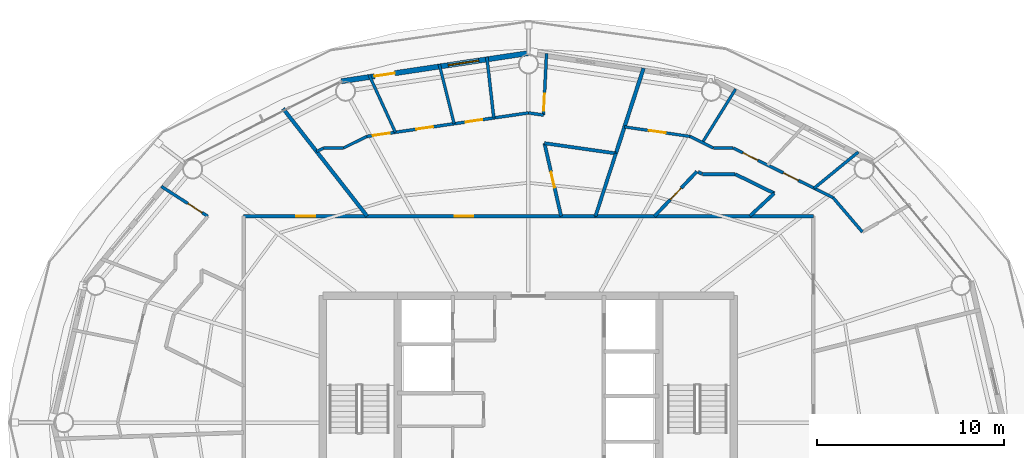
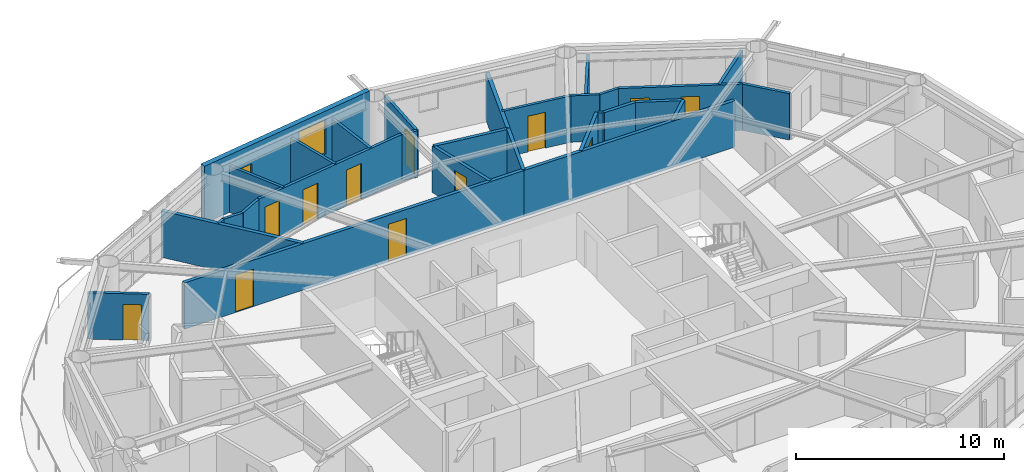
# One storey, part 19 of 23: 30 walls, 13 doors, 1 window, 14 openings.
"""IFC4 building model written with IfcOpenShell, lengths in metres."""

from ifc_helpers import new_model, si_unit, direction, frame, frame_2d, origin, place, context, subcontext, project, spatial, rectangle, extrude, material, layer, layer_set, type_object, element, fill, save


model = new_model("IFC4")

# Units and contexts
model_context = context("Model", 3, precision=1e-05, world=origin(), true_north=direction((0.0, 1.0)))
body_context = subcontext(model_context, "Body", "Model", "MODEL_VIEW")
ifc_project = project(units=[si_unit("LENGTHUNIT", "METRE"), si_unit("AREAUNIT", "SQUARE_METRE"), si_unit("VOLUMEUNIT", "CUBIC_METRE"), si_unit("PLANEANGLEUNIT", "RADIAN"), si_unit("MASSUNIT", "GRAM", prefix="KILO")], contexts=[model_context])

# Site, building, storey
site_placement = place(None, origin())
site = spatial("IfcSite", under=ifc_project, at=site_placement, CompositionType="ELEMENT")
building_placement = place(site_placement, origin())
building = spatial("IfcBuilding", under=site, at=building_placement, Name="Sarneth Arch Tower", CompositionType="ELEMENT")
storey_placement = place(building_placement, frame((0.0, 0.0, 238.800048828125)))
storey = spatial("IfcBuildingStorey", under=building, at=storey_placement, Name="L61", CompositionType="ELEMENT", Elevation=238.800048828125)

# Wall, openings, doors
ifc_material_1 = material(Name="Double steel-stud corridor fire wall", Category="steel")
ifc_layer_1 = layer(ifc_material_1, 0.18994140625)
ifc_layer_set_1 = layer_set([ifc_layer_1], Name="Double steel-stud corridor fire wall")
wall_type_1 = type_object("IfcWallType", Name="WALL-CORR-190", PredefinedType="PARTITIONING", material=ifc_layer_set_1)
wall_1_placement = place(storey_placement, frame((32.75, 53.050048828125, 0.0), z_axis=(0.0, 0.0, 1.0), x_axis=(1.0, 0.0, 0.0)))
wall_1 = element("IfcWall", 1, at=wall_1_placement, inside=storey, type_object=wall_type_1, Name="L61 Interior partition W-L61-TP-005", PredefinedType="PARTITIONING", context=body_context, shape_type="SweptSolid", body=[
    extrude(rectangle(XDim=18.84033203125, YDim=0.18994140625, at=frame_2d((9.420166015625, 0.0))), origin(), (0.0, 0.0, 1.0), 2.719970703125),
])
opening_1_placement = place(wall_1_placement, frame((11.3046875, 0.0, 0.0)))
opening_1 = element("IfcOpeningElement", 2, at=opening_1_placement, cuts=wall_1, Name="Opening FD-08", PredefinedType="OPENING", context=body_context, shape_type="SweptSolid", body=[
    extrude(rectangle(XDim=1.0, YDim=2.199951171875, at=frame_2d((0.5, 1.10009765625))), frame((0.0, 0.10498046875, 0.0), z_axis=(0.0, -1.0, 0.0), x_axis=(1.0, 0.0, 0.0)), (0.0, 0.0, 1.0), 0.2099609375),
])
opening_2_placement = place(wall_1_placement, frame((2.82861328125, 0.0, 0.0)))
opening_2 = element("IfcOpeningElement", 3, at=opening_2_placement, cuts=wall_1, Name="Opening FD-08", PredefinedType="OPENING", context=body_context, shape_type="SweptSolid", body=[
    extrude(rectangle(XDim=1.0, YDim=2.199951171875, at=frame_2d((0.5, 1.10009765625))), frame((0.0, 0.10498046875, 0.0), z_axis=(0.0, -1.0, 0.0), x_axis=(1.0, 0.0, 0.0)), (0.0, 0.0, 1.0), 0.2099609375),
])
ifc_material_2 = material(Name="Hardwood timber acoustic fire door", Category="wood")
door_type_1 = type_object("IfcDoorType", Name="DR-FD60-1000", OperationType="SINGLE_SWING_LEFT", PredefinedType="DOOR", material=ifc_material_2)
door_1_placement = place(opening_1_placement, origin())
door_1 = element("IfcDoor", 4, at=door_1_placement, inside=storey, type_object=door_type_1, Name="L61 Interior door DR-L61-U2-ENT", OperationType="SINGLE_SWING_LEFT", OverallHeight=2.199951171875, OverallWidth=1.0, PredefinedType="DOOR", context=body_context, shape_type="SweptSolid", body=[
    extrude(rectangle(XDim=1.0, YDim=2.199951171875, at=frame_2d((0.5, 1.10009765625))), frame((0.0, 0.02490234375, 0.0), z_axis=(0.0, -1.0, 0.0), x_axis=(1.0, 0.0, 0.0)), (0.0, 0.0, 1.0), 0.050048828125),
])
fill(opening_1, door_1)
door_2_placement = place(opening_2_placement, origin())
door_2 = element("IfcDoor", 5, at=door_2_placement, inside=storey, type_object=door_type_1, Name="L61 Interior door DR-L61-U3-ENT", OperationType="SINGLE_SWING_LEFT", OverallHeight=2.199951171875, OverallWidth=1.0, PredefinedType="DOOR", context=body_context, shape_type="SweptSolid", body=[
    extrude(rectangle(XDim=1.0, YDim=2.199951171875, at=frame_2d((0.5, 1.10009765625))), frame((0.0, 0.02490234375, 0.0), z_axis=(0.0, -1.0, 0.0), x_axis=(1.0, 0.0, 0.0)), (0.0, 0.0, 1.0), 0.050048828125),
])
fill(opening_2, door_2)

# Wall
wall_2_placement = place(storey_placement, frame((51.556884765625, 53.050048828125, 0.0), z_axis=(0.0, 0.0, 1.0), x_axis=(1.0, 0.0, 0.0)))
element("IfcWall", 6, at=wall_2_placement, inside=storey, type_object=wall_type_1, Name="L61 Interior partition W-L61-TP-004", PredefinedType="PARTITIONING", context=body_context, shape_type="SweptSolid", body=[
    extrude(rectangle(XDim=11.693115234375, YDim=0.18994140625, at=frame_2d((5.8466796875, 0.0))), origin(), (0.0, 0.0, 1.0), 2.719970703125),
])

# Wall, openings, door, window
ifc_material_3 = material(Name="Extruded terracotta rainscreen on Concrete C40/50 backing", Category="masonry")
ifc_layer_2 = layer(ifc_material_3, 0.280029296875)
ifc_layer_set_2 = layer_set([ifc_layer_2], Name="Extruded terracotta rainscreen on Concrete C40/50 backing")
wall_type_2 = type_object("IfcWallType", Name="WALL-EXT-TERRA-280", PredefinedType="SOLIDWALL", material=ifc_layer_set_2)
wall_3_placement = place(storey_placement, frame((48.0, 61.780029296875, 0.0), z_axis=(0.0, 0.0, 1.0), x_axis=(-0.988882522213, -0.148698881169, 0.0)))
wall_3 = element("IfcWall", 7, at=wall_3_placement, inside=storey, type_object=wall_type_2, Name="L61 Terracotta perimeter wall 05", PredefinedType="SOLIDWALL", context=body_context, shape_type="SweptSolid", body=[
    extrude(rectangle(XDim=10.125244140625, YDim=0.280029296875, at=frame_2d((5.0625, 0.0))), origin(), (0.0, 0.0, 1.0), 3.35986328125),
])
opening_3_placement = place(wall_3_placement, frame((2.6943359375, 0.0, 0.85009765625)))
opening_3 = element("IfcOpeningElement", 8, at=opening_3_placement, cuts=wall_3, Name="Opening W-05", PredefinedType="OPENING", context=body_context, shape_type="SweptSolid", body=[
    extrude(rectangle(XDim=1.64990234375, YDim=2.0, at=frame_2d((0.824951171875, 1.0))), frame((0.0, 0.14990234375, 0.0), z_axis=(0.0, -1.0, 0.0), x_axis=(1.0, 0.0, 0.0)), (0.0, 0.0, 1.0), 0.300048828125),
])
opening_4_placement = place(wall_3_placement, frame((7.22998046875, 0.0, 0.0)))
opening_4 = element("IfcOpeningElement", 9, at=opening_4_placement, cuts=wall_3, Name="Opening BD-3", PredefinedType="OPENING", context=body_context, shape_type="SweptSolid", body=[
    extrude(rectangle(XDim=1.10009765625, YDim=2.25, at=frame_2d((0.550048828125, 1.125))), frame((0.0, 0.14990234375, 0.0), z_axis=(0.0, -1.0, 0.0), x_axis=(1.0, 0.0, 0.0)), (0.0, 0.0, 1.0), 0.300048828125),
])
ifc_material_4 = material(Name="Thermally broken Aluminium 6063-T6 and laminated safety glass", Category="aluminium")
door_type_2 = type_object("IfcDoorType", Name="DR-BALC-GLZ-1100", OperationType="SINGLE_SWING_LEFT", PredefinedType="DOOR", material=ifc_material_4)
door_3_placement = place(opening_4_placement, origin())
door_3 = element("IfcDoor", 10, at=door_3_placement, inside=storey, type_object=door_type_2, Name="L61 Balcony glazed door 05", OperationType="SINGLE_SWING_LEFT", OverallHeight=2.25, OverallWidth=1.10009765625, PredefinedType="DOOR", context=body_context, shape_type="SweptSolid", body=[
    extrude(rectangle(XDim=1.10009765625, YDim=2.25, at=frame_2d((0.550048828125, 1.125))), frame((0.0, 0.02490234375, 0.0), z_axis=(0.0, -1.0, 0.0), x_axis=(1.0, 0.0, 0.0)), (0.0, 0.0, 1.0), 0.050048828125),
])
fill(opening_4, door_3)
ifc_material_5 = material(Name="Thermally broken Aluminium 6063-T6 and low-e laminated IGU", Category="aluminium")
window_type = type_object("IfcWindowType", Name="WIN-TWR-1650x2000", PartitioningType="DOUBLE_PANEL_VERTICAL", PredefinedType="WINDOW", material=ifc_material_5)
window_placement = place(opening_3_placement, origin())
window = element("IfcWindow", 11, at=window_placement, inside=storey, type_object=window_type, Name="L61 Exterior window 05A", OverallHeight=2.0, OverallWidth=1.64990234375, PartitioningType="SINGLE_PANEL", PredefinedType="WINDOW", context=body_context, shape_type="SweptSolid", body=[
    extrude(rectangle(XDim=1.64990234375, YDim=2.0, at=frame_2d((0.824951171875, 1.0))), frame((0.0, 0.030029296875, 0.0), z_axis=(0.0, -1.0, 0.0), x_axis=(1.0, 0.0, 0.0)), (0.0, 0.0, 1.0), 0.06005859375),
])
fill(opening_3, window)

# Wall
ifc_material_6 = material(Name="Apartment internal stud partition", Category="gypsum")
ifc_layer_3 = layer(ifc_material_6, 0.139892578125)
ifc_layer_set_3 = layer_set([ifc_layer_3], Name="Apartment internal stud partition")
wall_type_3 = type_object("IfcWallType", Name="WALL-PART-140", PredefinedType="PARTITIONING", material=ifc_layer_set_3)
wall_4_placement = place(storey_placement, frame((58.9638671875, 56.699951171875, 0.0), z_axis=(0.0, 0.0, 1.0), x_axis=(-1.0, 0.0, 0.0)))
element("IfcWall", 12, at=wall_4_placement, inside=storey, type_object=wall_type_3, Name="L61 Interior partition W-L61-TP-030", PredefinedType="PARTITIONING", context=body_context, shape_type="SweptSolid", body=[
    extrude(rectangle(XDim=1.065185546875, YDim=0.139892578125, at=frame_2d((0.53271484375, 0.0))), origin(), (0.0, 0.0, 1.0), 2.719970703125),
])

# Wall, opening, door
ifc_material_7 = material(Name="Acoustic gypsum stud partition", Category="gypsum")
ifc_layer_4 = layer(ifc_material_7, 0.14990234375)
ifc_layer_set_4 = layer_set([ifc_layer_4], Name="Acoustic gypsum stud partition")
wall_type_4 = type_object("IfcWallType", Name="WALL-PART-150", PredefinedType="PARTITIONING", material=ifc_layer_set_4)
wall_5_placement = place(storey_placement, frame((53.1435546875, 57.830078125, 0.0), z_axis=(0.0, 0.0, 1.0), x_axis=(0.98952683964, -0.144348999414, 0.0)))
wall_5 = element("IfcWall", 13, at=wall_5_placement, inside=storey, type_object=wall_type_4, Name="L61 Interior partition W-L61-TP-032", PredefinedType="PARTITIONING", context=body_context, shape_type="SweptSolid", body=[
    extrude(rectangle(XDim=3.54833984375, YDim=0.14990234375, at=frame_2d((1.774169921875, 0.0))), origin(), (0.0, 0.0, 1.0), 2.719970703125),
])
opening_5_placement = place(wall_5_placement, frame((1.32421875, 0.0, 0.0)))
opening_5 = element("IfcOpeningElement", 14, at=opening_5_placement, cuts=wall_5, Name="Opening ID-01", PredefinedType="OPENING", context=body_context, shape_type="SweptSolid", body=[
    extrude(rectangle(XDim=0.89990234375, YDim=2.10009765625, at=frame_2d((0.449951171875, 1.050048828125))), frame((0.0, 0.0849609375, 0.0), z_axis=(0.0, -1.0, 0.0), x_axis=(1.0, 0.0, 0.0)), (0.0, 0.0, 1.0), 0.169921875),
])
ifc_material_8 = material(Name="Engineered hardwood flush door", Category="wood")
door_type_3 = type_object("IfcDoorType", Name="DR-INT-900", OperationType="SINGLE_SWING_LEFT", PredefinedType="DOOR", material=ifc_material_8)
door_4_placement = place(opening_5_placement, origin())
door_4 = element("IfcDoor", 15, at=door_4_placement, inside=storey, type_object=door_type_3, Name="L61 Interior door DR-L61-U1-BED3", OperationType="SINGLE_SWING_RIGHT", OverallHeight=2.10009765625, OverallWidth=0.89990234375, PredefinedType="DOOR", context=body_context, shape_type="SweptSolid", body=[
    extrude(rectangle(XDim=0.89990234375, YDim=2.10009765625, at=frame_2d((0.449951171875, 1.050048828125))), frame((0.0, 0.02490234375, 0.0), z_axis=(0.0, -1.0, 0.0), x_axis=(1.0, 0.0, 0.0)), (0.0, 0.0, 1.0), 0.050048828125),
])
fill(opening_5, door_4)

# Walls
wall_6_placement = place(storey_placement, frame((40.876953125, 57.541259765625, 0.0), z_axis=(0.0, 0.0, 1.0), x_axis=(-0.41664724869, 0.90906824285, 0.0)))
element("IfcWall", 16, at=wall_6_placement, inside=storey, type_object=wall_type_4, Name="L61 Interior partition W-L61-TP-056", PredefinedType="PARTITIONING", context=body_context, shape_type="SweptSolid", body=[
    extrude(rectangle(XDim=3.3798828125, YDim=0.14990234375, at=frame_2d((1.68994140625, 0.0))), origin(), (0.0, 0.0, 1.0), 2.719970703125),
])
wall_7_placement = place(storey_placement, frame((57.314208984375, 56.990478515625, 0.0), z_axis=(0.0, 0.0, 1.0), x_axis=(0.527732275503, 0.849410763643, 0.0)))
element("IfcWall", 17, at=wall_7_placement, inside=storey, type_object=wall_type_4, Name="L61 Interior partition W-L61-TP-040", PredefinedType="PARTITIONING", context=body_context, shape_type="SweptSolid", body=[
    extrude(rectangle(XDim=3.3720703125, YDim=0.14990234375, at=frame_2d((1.68603515625, 0.0))), origin(), (0.0, 0.0, 1.0), 2.719970703125),
])
wall_8_placement = place(storey_placement, frame((43.228515625, 61.183349609375, 0.0), z_axis=(0.0, 0.0, 1.0), x_axis=(0.241414802643, -0.970422018023, 0.0)))
element("IfcWall", 18, at=wall_8_placement, inside=storey, type_object=wall_type_4, Name="L61 Interior partition W-L61-TP-055", PredefinedType="PARTITIONING", context=body_context, shape_type="SweptSolid", body=[
    extrude(rectangle(XDim=3.280517578125, YDim=0.14990234375, at=frame_2d((1.64013671875, 0.0))), origin(), (0.0, 0.0, 1.0), 2.719970703125),
])
wall_9_placement = place(storey_placement, frame((38.101318359375, 56.699951171875, 0.0), z_axis=(0.0, 0.0, 1.0), x_axis=(0.895584310315, 0.444891833053, 0.0)))
element("IfcWall", 19, at=wall_9_placement, inside=storey, type_object=wall_type_4, Name="L61 Interior partition W-L61-TP-051", PredefinedType="PARTITIONING", context=body_context, shape_type="SweptSolid", body=[
    extrude(rectangle(XDim=1.388916015625, YDim=0.14990234375, at=frame_2d((0.6943359375, 0.0))), origin(), (0.0, 0.0, 1.0), 2.719970703125),
])
wall_10_placement = place(storey_placement, frame((37.0361328125, 56.699951171875, 0.0), z_axis=(0.0, 0.0, 1.0), x_axis=(1.0, 0.0, 0.0)))
element("IfcWall", 20, at=wall_10_placement, inside=storey, type_object=wall_type_4, Name="L61 Interior partition W-L61-TP-050", PredefinedType="PARTITIONING", context=body_context, shape_type="SweptSolid", body=[
    extrude(rectangle(XDim=1.065185546875, YDim=0.14990234375, at=frame_2d((0.53271484375, 0.0))), origin(), (0.0, 0.0, 1.0), 2.719970703125),
])
wall_11_placement = place(storey_placement, frame((56.65478515625, 57.31787109375, 0.0), z_axis=(0.0, 0.0, 1.0), x_axis=(0.895584310315, -0.444891833053, 0.0)))
element("IfcWall", 21, at=wall_11_placement, inside=storey, type_object=wall_type_4, Name="L61 Interior partition W-L61-TP-033", PredefinedType="PARTITIONING", context=body_context, shape_type="SweptSolid", body=[
    extrude(rectangle(XDim=1.388916015625, YDim=0.14990234375, at=frame_2d((0.6943359375, 0.0))), origin(), (0.0, 0.0, 1.0), 2.719970703125),
])
wall_12_placement = place(storey_placement, frame((36.660888671875, 56.513427734375, 0.0), z_axis=(0.0, 0.0, 1.0), x_axis=(0.895473432012, 0.445114965554, 0.0)))
element("IfcWall", 22, at=wall_12_placement, inside=storey, type_object=wall_type_4, Name="L61 Interior partition W-L61-TP-049", PredefinedType="PARTITIONING", context=body_context, shape_type="SweptSolid", body=[
    extrude(rectangle(XDim=0.4189453125, YDim=0.14990234375, at=frame_2d((0.20947265625, 0.0))), origin(), (0.0, 0.0, 1.0), 2.719970703125),
])

# Wall, opening, door
ifc_material_9 = material(Name="Kitchen wet service chase wall", Category="gypsum")
ifc_layer_5 = layer(ifc_material_9, 0.159912109375)
ifc_layer_set_5 = layer_set([ifc_layer_5], Name="Kitchen wet service chase wall")
wall_type_5 = type_object("IfcWallType", Name="WALL-PLUMB-160", PredefinedType="PLUMBINGWALL", material=ifc_layer_set_5)
wall_13_placement = place(storey_placement, frame((48.969482421875, 61.7548828125, 0.0), z_axis=(0.0, 0.0, 1.0), x_axis=(-0.04902528139, -0.998797537935, 0.0)))
wall_13 = element("IfcWall", 23, at=wall_13_placement, inside=storey, type_object=wall_type_5, Name="L61 Interior partition W-L61-TP-042", PredefinedType="PLUMBINGWALL", context=body_context, shape_type="SweptSolid", body=[
    extrude(rectangle(XDim=3.296630859375, YDim=0.159912109375, at=frame_2d((1.6484375, 0.0))), origin(), (0.0, 0.0, 1.0), 2.719970703125),
])
opening_6_placement = place(wall_13_placement, frame((2.158447265625, 0.0, 0.0)))
opening_6 = element("IfcOpeningElement", 24, at=opening_6_placement, cuts=wall_13, Name="Opening ID-01", PredefinedType="OPENING", context=body_context, shape_type="SweptSolid", body=[
    extrude(rectangle(XDim=0.89990234375, YDim=2.10009765625, at=frame_2d((0.449951171875, 1.050048828125))), frame((0.0, 0.08984375, 0.0), z_axis=(0.0, -1.0, 0.0), x_axis=(1.0, 0.0, 0.0)), (0.0, 0.0, 1.0), 0.179931640625),
])
door_5_placement = place(opening_6_placement, origin())
door_5 = element("IfcDoor", 25, at=door_5_placement, inside=storey, type_object=door_type_3, Name="L61 Interior door DR-L61-U2-KIT", OperationType="SINGLE_SWING_RIGHT", OverallHeight=2.10009765625, OverallWidth=0.89990234375, PredefinedType="DOOR", context=body_context, shape_type="SweptSolid", body=[
    extrude(rectangle(XDim=0.89990234375, YDim=2.10009765625, at=frame_2d((0.449951171875, 1.050048828125))), frame((0.0, 0.02490234375, 0.0), z_axis=(0.0, -1.0, 0.0), x_axis=(1.0, 0.0, 0.0)), (0.0, 0.0, 1.0), 0.050048828125),
])
fill(opening_6, door_5)

# Wall
wall_14_placement = place(storey_placement, frame((46.145751953125, 58.3095703125, 0.0), z_axis=(0.0, 0.0, 1.0), x_axis=(-0.11298154415, 0.993597086691, 0.0)))
element("IfcWall", 26, at=wall_14_placement, inside=storey, type_object=wall_type_5, Name="L61 Interior partition W-L61-TP-054", PredefinedType="PLUMBINGWALL", context=body_context, shape_type="SweptSolid", body=[
    extrude(rectangle(XDim=3.278076171875, YDim=0.159912109375, at=frame_2d((1.63916015625, 0.0))), origin(), (0.0, 0.0, 1.0), 2.719970703125),
])

# Wall, openings, doors
wall_15_placement = place(storey_placement, frame((39.34521484375, 57.318115234375, 0.0), z_axis=(0.0, 0.0, 1.0), x_axis=(0.989540121389, 0.144257922351, 0.0)))
wall_15 = element("IfcWall", 27, at=wall_15_placement, inside=storey, type_object=wall_type_5, Name="L61 Interior partition W-L61-TP-048", PredefinedType="PLUMBINGWALL", context=body_context, shape_type="SweptSolid", body=[
    extrude(rectangle(XDim=8.746337890625, YDim=0.159912109375, at=frame_2d((4.373046875, 0.0))), origin(), (0.0, 0.0, 1.0), 2.719970703125),
])
opening_7_placement = place(wall_15_placement, frame((2.685791015625, 0.0, 0.0)))
opening_7 = element("IfcOpeningElement", 28, at=opening_7_placement, cuts=wall_15, Name="Opening ID-01", PredefinedType="OPENING", context=body_context, shape_type="SweptSolid", body=[
    extrude(rectangle(XDim=0.89990234375, YDim=2.10009765625, at=frame_2d((0.449951171875, 1.050048828125))), frame((0.0, 0.08984375, 0.0), z_axis=(0.0, -1.0, 0.0), x_axis=(1.0, 0.0, 0.0)), (0.0, 0.0, 1.0), 0.179931640625),
])
opening_8_placement = place(wall_15_placement, frame((5.3486328125, 0.0, 0.0)))
opening_8 = element("IfcOpeningElement", 29, at=opening_8_placement, cuts=wall_15, Name="Opening ID-01", PredefinedType="OPENING", context=body_context, shape_type="SweptSolid", body=[
    extrude(rectangle(XDim=0.89990234375, YDim=2.10009765625, at=frame_2d((0.449951171875, 1.050048828125))), frame((0.0, 0.08984375, 0.0), z_axis=(0.0, -1.0, 0.0), x_axis=(1.0, 0.0, 0.0)), (0.0, 0.0, 1.0), 0.179931640625),
])
opening_9_placement = place(wall_15_placement, frame((0.3408203125, 0.0, 0.0)))
opening_9 = element("IfcOpeningElement", 30, at=opening_9_placement, cuts=wall_15, Name="Opening ID-01", PredefinedType="OPENING", context=body_context, shape_type="SweptSolid", body=[
    extrude(rectangle(XDim=0.89990234375, YDim=2.10009765625, at=frame_2d((0.449951171875, 1.050048828125))), frame((0.0, 0.08984375, 0.0), z_axis=(0.0, -1.0, 0.0), x_axis=(1.0, 0.0, 0.0)), (0.0, 0.0, 1.0), 0.179931640625),
])
door_6_placement = place(opening_7_placement, origin())
door_6 = element("IfcDoor", 31, at=door_6_placement, inside=storey, type_object=door_type_3, Name="L61 Interior door DR-L61-U2-BED2", OperationType="SINGLE_SWING_RIGHT", OverallHeight=2.10009765625, OverallWidth=0.89990234375, PredefinedType="DOOR", context=body_context, shape_type="SweptSolid", body=[
    extrude(rectangle(XDim=0.89990234375, YDim=2.10009765625, at=frame_2d((0.449951171875, 1.050048828125))), frame((0.0, 0.02490234375, 0.0), z_axis=(0.0, -1.0, 0.0), x_axis=(1.0, 0.0, 0.0)), (0.0, 0.0, 1.0), 0.050048828125),
])
fill(opening_7, door_6)
door_7_placement = place(opening_8_placement, origin())
door_7 = element("IfcDoor", 32, at=door_7_placement, inside=storey, type_object=door_type_3, Name="L61 Interior door DR-L61-U2-BED1", OperationType="SINGLE_SWING_LEFT", OverallHeight=2.10009765625, OverallWidth=0.89990234375, PredefinedType="DOOR", context=body_context, shape_type="SweptSolid", body=[
    extrude(rectangle(XDim=0.89990234375, YDim=2.10009765625, at=frame_2d((0.449951171875, 1.050048828125))), frame((0.0, 0.02490234375, 0.0), z_axis=(0.0, -1.0, 0.0), x_axis=(1.0, 0.0, 0.0)), (0.0, 0.0, 1.0), 0.050048828125),
])
fill(opening_8, door_7)
door_8_placement = place(opening_9_placement, origin())
door_8 = element("IfcDoor", 33, at=door_8_placement, inside=storey, type_object=door_type_3, Name="L61 Interior door DR-L61-U2-BED3", OperationType="SINGLE_SWING_LEFT", OverallHeight=2.10009765625, OverallWidth=0.89990234375, PredefinedType="DOOR", context=body_context, shape_type="SweptSolid", body=[
    extrude(rectangle(XDim=0.89990234375, YDim=2.10009765625, at=frame_2d((0.449951171875, 1.050048828125))), frame((0.0, 0.02490234375, 0.0), z_axis=(0.0, -1.0, 0.0), x_axis=(1.0, 0.0, 0.0)), (0.0, 0.0, 1.0), 0.050048828125),
])
fill(opening_9, door_8)

# Wall
wall_16_placement = place(storey_placement, frame((63.296142578125, 54.546630859375, 0.0), z_axis=(0.0, 0.0, 1.0), x_axis=(0.773154828325, 0.634217321931, 0.0)))
element("IfcWall", 34, at=wall_16_placement, inside=storey, type_object=wall_type_5, Name="L61 Interior partition W-L61-TP-038", PredefinedType="PLUMBINGWALL", context=body_context, shape_type="SweptSolid", body=[
    extrude(rectangle(XDim=3.05224609375, YDim=0.159912109375, at=frame_2d((1.526123046875, 0.0))), origin(), (0.0, 0.0, 1.0), 2.719970703125),
])

# Wall, opening, door
wall_17_placement = place(storey_placement, frame((28.35009765625, 54.641845703125, 0.0), z_axis=(0.0, 0.0, 1.0), x_axis=(0.840998642379, -0.541037229326, 0.0)))
wall_17 = element("IfcWall", 35, at=wall_17_placement, inside=storey, type_object=wall_type_5, Name="L61 Interior partition W-L61-TP-058", PredefinedType="PLUMBINGWALL", context=body_context, shape_type="SweptSolid", body=[
    extrude(rectangle(XDim=2.9560546875, YDim=0.159912109375, at=frame_2d((1.47802734375, 0.0))), origin(), (0.0, 0.0, 1.0), 2.719970703125),
])
opening_10_placement = place(wall_17_placement, frame((1.688232421875, 0.0, 0.0)))
opening_10 = element("IfcOpeningElement", 36, at=opening_10_placement, cuts=wall_17, Name="Opening ID-01", PredefinedType="OPENING", context=body_context, shape_type="SweptSolid", body=[
    extrude(rectangle(XDim=0.89990234375, YDim=2.10009765625, at=frame_2d((0.449951171875, 1.050048828125))), frame((0.0, 0.08984375, 0.0), z_axis=(0.0, -1.0, 0.0), x_axis=(1.0, 0.0, 0.0)), (0.0, 0.0, 1.0), 0.179931640625),
])
door_9_placement = place(opening_10_placement, origin())
door_9 = element("IfcDoor", 37, at=door_9_placement, inside=storey, type_object=door_type_3, Name="L61 Interior door DR-L61-U3-KIT", OperationType="SINGLE_SWING_RIGHT", OverallHeight=2.10009765625, OverallWidth=0.89990234375, PredefinedType="DOOR", context=body_context, shape_type="SweptSolid", body=[
    extrude(rectangle(XDim=0.89990234375, YDim=2.10009765625, at=frame_2d((0.449951171875, 1.050048828125))), frame((0.0, 0.02490234375, 0.0), z_axis=(0.0, -1.0, 0.0), x_axis=(1.0, 0.0, 0.0)), (0.0, 0.0, 1.0), 0.050048828125),
])
fill(opening_10, door_9)

# Wall, openings, doors
wall_18_placement = place(storey_placement, frame((58.9638671875, 56.699951171875, 0.0), z_axis=(0.0, 0.0, 1.0), x_axis=(0.895471406875, -0.445119039661, 0.0)))
wall_18 = element("IfcWall", 38, at=wall_18_placement, inside=storey, type_object=wall_type_5, Name="L61 Interior partition W-L61-TP-028", PredefinedType="PLUMBINGWALL", context=body_context, shape_type="SweptSolid", body=[
    extrude(rectangle(XDim=5.971435546875, YDim=0.159912109375, at=frame_2d((2.98583984375, 0.0))), origin(), (0.0, 0.0, 1.0), 2.719970703125),
])
opening_11_placement = place(wall_18_placement, frame((2.997802734375, 0.0, 0.0)))
opening_11 = element("IfcOpeningElement", 39, at=opening_11_placement, cuts=wall_18, Name="Opening ID-01", PredefinedType="OPENING", context=body_context, shape_type="SweptSolid", body=[
    extrude(rectangle(XDim=0.89990234375, YDim=2.10009765625, at=frame_2d((0.449951171875, 1.050048828125))), frame((0.0, 0.08984375, 0.0), z_axis=(0.0, -1.0, 0.0), x_axis=(1.0, 0.0, 0.0)), (0.0, 0.0, 1.0), 0.179931640625),
])
opening_12_placement = place(wall_18_placement, frame((0.578125, 0.0, 0.0)))
opening_12 = element("IfcOpeningElement", 40, at=opening_12_placement, cuts=wall_18, Name="Opening ID-01", PredefinedType="OPENING", context=body_context, shape_type="SweptSolid", body=[
    extrude(rectangle(XDim=0.89990234375, YDim=2.10009765625, at=frame_2d((0.449951171875, 1.050048828125))), frame((0.0, 0.08984375, 0.0), z_axis=(0.0, -1.0, 0.0), x_axis=(1.0, 0.0, 0.0)), (0.0, 0.0, 1.0), 0.179931640625),
])
door_10_placement = place(opening_11_placement, origin())
door_10 = element("IfcDoor", 41, at=door_10_placement, inside=storey, type_object=door_type_3, Name="L61 Interior door DR-L61-U1-BED1", OperationType="SINGLE_SWING_RIGHT", OverallHeight=2.10009765625, OverallWidth=0.89990234375, PredefinedType="DOOR", context=body_context, shape_type="SweptSolid", body=[
    extrude(rectangle(XDim=0.89990234375, YDim=2.10009765625, at=frame_2d((0.449951171875, 1.050048828125))), frame((0.0, 0.02490234375, 0.0), z_axis=(0.0, -1.0, 0.0), x_axis=(1.0, 0.0, 0.0)), (0.0, 0.0, 1.0), 0.050048828125),
])
fill(opening_11, door_10)
door_11_placement = place(opening_12_placement, origin())
door_11 = element("IfcDoor", 42, at=door_11_placement, inside=storey, type_object=door_type_3, Name="L61 Interior door DR-L61-U1-BED2", OperationType="SINGLE_SWING_LEFT", OverallHeight=2.10009765625, OverallWidth=0.89990234375, PredefinedType="DOOR", context=body_context, shape_type="SweptSolid", body=[
    extrude(rectangle(XDim=0.89990234375, YDim=2.10009765625, at=frame_2d((0.449951171875, 1.050048828125))), frame((0.0, 0.02490234375, 0.0), z_axis=(0.0, -1.0, 0.0), x_axis=(1.0, 0.0, 0.0)), (0.0, 0.0, 1.0), 0.050048828125),
])
fill(opening_12, door_11)

# Walls
wall_19_placement = place(storey_placement, frame((64.31103515625, 54.0419921875, 0.0), z_axis=(0.0, 0.0, 1.0), x_axis=(0.648953507232, -0.760828065631, 0.0)))
element("IfcWall", 43, at=wall_19_placement, inside=storey, type_object=wall_type_5, Name="L61 Interior partition W-L61-TP-021", PredefinedType="PLUMBINGWALL", context=body_context, shape_type="SweptSolid", body=[
    extrude(rectangle(XDim=2.4091796875, YDim=0.159912109375, at=frame_2d((1.20458984375, 0.0))), origin(), (0.0, 0.0, 1.0), 2.719970703125),
])
wall_20_placement = place(storey_placement, frame((48.807861328125, 58.462158203125, 0.0), z_axis=(0.0, 0.0, 1.0), x_axis=(-0.989514290885, 0.144434996222, 0.0)))
element("IfcWall", 44, at=wall_20_placement, inside=storey, type_object=wall_type_5, Name="L61 Interior partition W-L61-TP-043", PredefinedType="PLUMBINGWALL", context=body_context, shape_type="SweptSolid", body=[
    extrude(rectangle(XDim=0.81640625, YDim=0.159912109375, at=frame_2d((0.408203125, 0.0))), origin(), (0.0, 0.0, 1.0), 2.719970703125),
])

# Wall, opening, door
ifc_material_10 = material(Name="Moisture-resistant plumbing chase wall", Category="gypsum")
ifc_layer_6 = layer(ifc_material_10, 0.179931640625)
ifc_layer_set_6 = layer_set([ifc_layer_6], Name="Moisture-resistant plumbing chase wall")
wall_type_6 = type_object("IfcWallType", Name="WALL-PLUMB-180", PredefinedType="PLUMBINGWALL", material=ifc_layer_set_6)
wall_21_placement = place(storey_placement, frame((49.750244140625, 53.050048828125, 0.0), z_axis=(0.0, 0.0, 1.0), x_axis=(-0.222474116201, 0.974938596846, 0.0)))
wall_21 = element("IfcWall", 45, at=wall_21_placement, inside=storey, type_object=wall_type_6, Name="L61 Interior partition W-L61-TP-045", PredefinedType="PLUMBINGWALL", context=body_context, shape_type="SweptSolid", body=[
    extrude(rectangle(XDim=4.007568359375, YDim=0.179931640625, at=frame_2d((2.00390625, 0.0))), origin(), (0.0, 0.0, 1.0), 2.719970703125),
])
opening_13_placement = place(wall_21_placement, frame((1.578857421875, 0.0, 0.0)))
opening_13 = element("IfcOpeningElement", 46, at=opening_13_placement, cuts=wall_21, Name="Opening ID-02", PredefinedType="OPENING", context=body_context, shape_type="SweptSolid", body=[
    extrude(rectangle(XDim=0.85009765625, YDim=2.10009765625, at=frame_2d((0.425048828125, 1.050048828125))), frame((0.0, 0.099853515625, 0.0), z_axis=(0.0, -1.0, 0.0), x_axis=(1.0, 0.0, 0.0)), (0.0, 0.0, 1.0), 0.199951171875),
])
ifc_material_11 = material(Name="Moisture-resistant bathroom timber door", Category="wood")
door_type_4 = type_object("IfcDoorType", Name="DR-INT-850", OperationType="SINGLE_SWING_RIGHT", PredefinedType="DOOR", material=ifc_material_11)
door_12_placement = place(opening_13_placement, origin())
door_12 = element("IfcDoor", 47, at=door_12_placement, inside=storey, type_object=door_type_4, Name="L61 Interior door DR-L61-U2-BATH", OperationType="SINGLE_SWING_LEFT", OverallHeight=2.10009765625, OverallWidth=0.85009765625, PredefinedType="DOOR", context=body_context, shape_type="SweptSolid", body=[
    extrude(rectangle(XDim=0.85009765625, YDim=2.10009765625, at=frame_2d((0.425048828125, 1.050048828125))), frame((0.0, 0.02490234375, 0.0), z_axis=(0.0, -1.0, 0.0), x_axis=(1.0, 0.0, 0.0)), (0.0, 0.0, 1.0), 0.050048828125),
])
fill(opening_13, door_12)

# Walls
wall_22_placement = place(storey_placement, frame((48.858642578125, 56.957275390625, 0.0), z_axis=(0.0, 0.0, 1.0), x_axis=(0.989916598229, -0.141651433282, 0.0)))
element("IfcWall", 48, at=wall_22_placement, inside=storey, type_object=wall_type_6, Name="L61 Interior partition W-L61-TP-046", PredefinedType="PLUMBINGWALL", context=body_context, shape_type="SweptSolid", body=[
    extrude(rectangle(XDim=3.862548828125, YDim=0.179931640625, at=frame_2d((1.93115234375, 0.0))), origin(), (0.0, 0.0, 1.0), 2.719970703125),
])
wall_23_placement = place(storey_placement, frame((52.68212890625, 56.41015625, 0.0), z_axis=(0.0, 0.0, 1.0), x_axis=(-0.309025133622, -0.951053871655, 0.0)))
element("IfcWall", 49, at=wall_23_placement, inside=storey, type_object=wall_type_6, Name="L61 Interior partition W-L61-TP-035", PredefinedType="PLUMBINGWALL", context=body_context, shape_type="SweptSolid", body=[
    extrude(rectangle(XDim=3.532958984375, YDim=0.179931640625, at=frame_2d((1.7666015625, 0.0))), origin(), (0.0, 0.0, 1.0), 2.719970703125),
])

# Wall, opening, door
wall_24_placement = place(storey_placement, frame((57.020751953125, 55.4462890625, 0.0), z_axis=(0.0, 0.0, 1.0), x_axis=(-0.686947406922, -0.726707135044, 0.0)))
wall_24 = element("IfcWall", 50, at=wall_24_placement, inside=storey, type_object=wall_type_6, Name="L61 Interior partition W-L61-TP-027", PredefinedType="PLUMBINGWALL", context=body_context, shape_type="SweptSolid", body=[
    extrude(rectangle(XDim=3.29736328125, YDim=0.179931640625, at=frame_2d((1.648681640625, 0.0))), origin(), (0.0, 0.0, 1.0), 2.719970703125),
])
opening_14_placement = place(wall_24_placement, frame((1.2236328125, 0.0, 0.0)))
opening_14 = element("IfcOpeningElement", 51, at=opening_14_placement, cuts=wall_24, Name="Opening ID-02", PredefinedType="OPENING", context=body_context, shape_type="SweptSolid", body=[
    extrude(rectangle(XDim=0.85009765625, YDim=2.10009765625, at=frame_2d((0.425048828125, 1.050048828125))), frame((0.0, 0.099853515625, 0.0), z_axis=(0.0, -1.0, 0.0), x_axis=(1.0, 0.0, 0.0)), (0.0, 0.0, 1.0), 0.199951171875),
])
door_13_placement = place(opening_14_placement, origin())
door_13 = element("IfcDoor", 52, at=door_13_placement, inside=storey, type_object=door_type_4, Name="L61 Interior door DR-L61-U1-BATH", OperationType="SINGLE_SWING_LEFT", OverallHeight=2.10009765625, OverallWidth=0.85009765625, PredefinedType="DOOR", context=body_context, shape_type="SweptSolid", body=[
    extrude(rectangle(XDim=0.85009765625, YDim=2.10009765625, at=frame_2d((0.425048828125, 1.050048828125))), frame((0.0, 0.02490234375, 0.0), z_axis=(0.0, -1.0, 0.0), x_axis=(1.0, 0.0, 0.0)), (0.0, 0.0, 1.0), 0.050048828125),
])
fill(opening_14, door_13)

# Walls
wall_25_placement = place(storey_placement, frame((61.16162109375, 54.2734375, 0.0), z_axis=(0.0, 0.0, 1.0), x_axis=(-0.897774561906, 0.440455259925, 0.0)))
element("IfcWall", 53, at=wall_25_placement, inside=storey, type_object=wall_type_6, Name="L61 Interior partition W-L61-TP-024", PredefinedType="PLUMBINGWALL", context=body_context, shape_type="SweptSolid", body=[
    extrude(rectangle(XDim=2.330810546875, YDim=0.179931640625, at=frame_2d((1.16552734375, 0.0))), origin(), (0.0, 0.0, 1.0), 2.719970703125),
])
wall_26_placement = place(storey_placement, frame((59.849609375, 53.050048828125, 0.0), z_axis=(0.0, 0.0, 1.0), x_axis=(0.731376514485, 0.681973895438, 0.0)))
element("IfcWall", 54, at=wall_26_placement, inside=storey, type_object=wall_type_6, Name="L61 Interior partition W-L61-TP-023", PredefinedType="PLUMBINGWALL", context=body_context, shape_type="SweptSolid", body=[
    extrude(rectangle(XDim=1.7939453125, YDim=0.179931640625, at=frame_2d((0.89697265625, 0.0))), origin(), (0.0, 0.0, 1.0), 2.719970703125),
])
wall_27_placement = place(storey_placement, frame((59.069091796875, 55.300048828125, 0.0), z_axis=(0.0, 0.0, 1.0), x_axis=(-1.0, 0.0, 0.0)))
element("IfcWall", 55, at=wall_27_placement, inside=storey, type_object=wall_type_6, Name="L61 Interior partition W-L61-TP-025", PredefinedType="PLUMBINGWALL", context=body_context, shape_type="SweptSolid", body=[
    extrude(rectangle(XDim=1.748291015625, YDim=0.179931640625, at=frame_2d((0.8740234375, 0.0))), origin(), (0.0, 0.0, 1.0), 2.719970703125),
])
wall_28_placement = place(storey_placement, frame((57.295654296875, 55.312255859375, 0.0), z_axis=(0.0, 0.0, 1.0), x_axis=(-0.898768445644, 0.438423632021, 0.0)))
element("IfcWall", 56, at=wall_28_placement, inside=storey, type_object=wall_type_6, Name="L61 Interior partition W-L61-TP-026", PredefinedType="PLUMBINGWALL", context=body_context, shape_type="SweptSolid", body=[
    extrude(rectangle(XDim=0.23388671875, YDim=0.179931640625, at=frame_2d((0.116943359375, 0.0))), origin(), (0.0, 0.0, 1.0), 2.719970703125),
])
ifc_material_12 = material(Name="Double steel-stud acoustic drywall", Category="steel")
ifc_layer_7 = layer(ifc_material_12, 0.199951171875)
ifc_layer_set_7 = layer_set([ifc_layer_7], Name="Double steel-stud acoustic drywall")
wall_type_7 = type_object("IfcWallType", Name="WALL-UNIT-200", PredefinedType="PARTITIONING", material=ifc_layer_set_7)
wall_29_placement = place(storey_placement, frame((39.36669921875, 53.050048828125, 0.0), z_axis=(0.0, 0.0, 1.0), x_axis=(-0.615657656631, 0.788013737083, 0.0)))
element("IfcWall", 57, at=wall_29_placement, inside=storey, type_object=wall_type_7, Name="L61 Interior partition W-L61-TP-053", PredefinedType="PARTITIONING", context=body_context, shape_type="SweptSolid", body=[
    extrude(rectangle(XDim=7.3076171875, YDim=0.199951171875, at=frame_2d((3.65380859375, 0.0))), origin(), (0.0, 0.0, 1.0), 2.719970703125),
])
wall_30_placement = place(storey_placement, frame((54.16455078125, 60.97265625, 0.0), z_axis=(0.0, 0.0, 1.0), x_axis=(-0.309012424199, -0.951058001223, 0.0)))
element("IfcWall", 58, at=wall_30_placement, inside=storey, type_object=wall_type_7, Name="L61 Interior partition W-L61-TP-041", PredefinedType="PARTITIONING", context=body_context, shape_type="SweptSolid", body=[
    extrude(rectangle(XDim=4.79736328125, YDim=0.199951171875, at=frame_2d((2.398681640625, 0.0))), origin(), (0.0, 0.0, 1.0), 2.719970703125),
])

save(model, "model.ifc")
